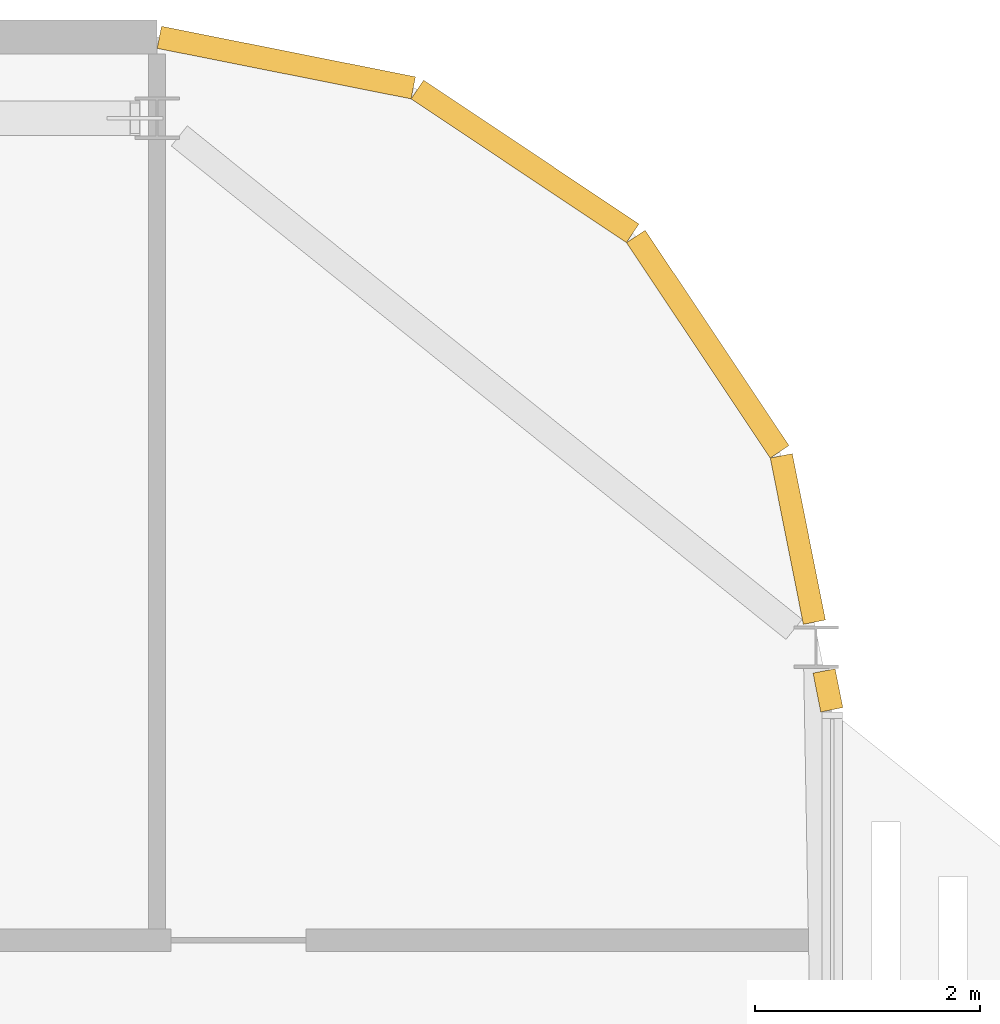
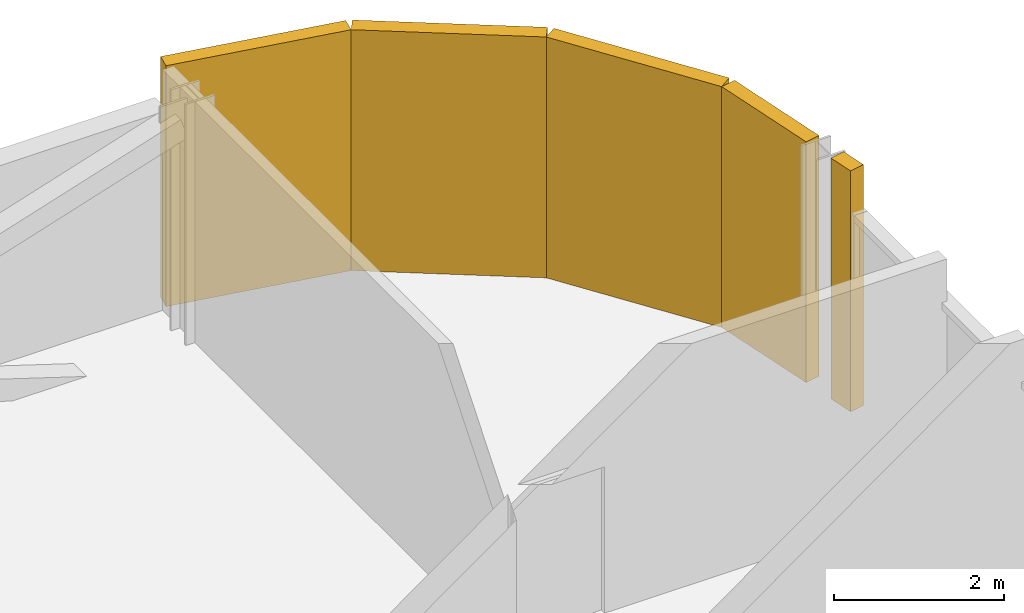
# One storey, part 29 of 29: 5 coverings.
"""IFC4 building model written with IfcOpenShell, lengths in metres."""

from ifc_helpers import new_model, si_unit, direction, frame, origin, origin_2d, place, context, subcontext, project, spatial, rectangle, extrude, material, layer, layer_set, type_object, element, save


model = new_model("IFC4")

# Units and contexts
model_context = context("Model", 3, precision=1e-05, world=origin(), true_north=direction((0.0, 1.0)))
body_context = subcontext(model_context, "Body", "Model", "MODEL_VIEW")
ifc_project = project(units=[si_unit("LENGTHUNIT", "METRE"), si_unit("AREAUNIT", "SQUARE_METRE"), si_unit("VOLUMEUNIT", "CUBIC_METRE"), si_unit("PLANEANGLEUNIT", "RADIAN"), si_unit("MASSUNIT", "GRAM", prefix="KILO")], contexts=[model_context])

# Site, building, storey
site_placement = place(None, origin())
site = spatial("IfcSite", under=ifc_project, at=site_placement, CompositionType="ELEMENT")
building_placement = place(site_placement, origin())
building = spatial("IfcBuilding", under=site, at=building_placement, Name="Mahtab Terrace Research Tower", CompositionType="ELEMENT")
storey_placement = place(building_placement, frame((0.0, 0.0, 274.699951171875)))
storey = spatial("IfcBuildingStorey", under=building, at=storey_placement, Name="L67", CompositionType="ELEMENT", Elevation=274.699951171875)

# Coverings
ifc_material = material(Name="Black aluminium cladding panel", Category="aluminium")
ifc_layer = layer(ifc_material, 0.199951171875)
ifc_layer_set = layer_set([ifc_layer], Name="Black metal corner cladding 200")
covering_type = type_object("IfcCoveringType", Name="Black metal corner cladding 200", PredefinedType="CLADDING", material=ifc_layer_set)
for number, where, z_axis, x_axis, name in (
    (1, (46.89306640625, 22.298583984375, 0.0), (0.0, 0.0, 1.0), (-0.555291490808, 0.831655794326, 0.0), "Corner cladding L67 0"),
    (2, (45.26953125, 23.922119140625, 0.0), (0.0, 0.0, 1.0), (-0.831655794326, 0.555291490808, 0.0), "Corner cladding L67 1"),
    (3, (43.14794921875, 24.800537109375, 0.0), (0.0, 0.0, 1.0), (-0.980760981187, 0.195212442692, 0.0), "Corner cladding L67 2"),
):
    element("IfcCovering", number, at=place(storey_placement, frame(where, z_axis=z_axis, x_axis=x_axis)), inside=storey, type_object=covering_type, Name=name, PredefinedType="CLADDING", context=body_context, shape_type="SweptSolid", body=[
        extrude(rectangle(XDim=2.30126953125, YDim=0.199951171875, at=origin_2d()), origin(), (0.0, 0.0, 1.0), 3.4599609375),
    ])
covering_1_placement = place(storey_placement, frame((47.961669921875, 19.220947265625, 0.0), z_axis=(0.0, 0.0, 1.0), x_axis=(-0.195212442692, 0.980760981187, 0.0)))
element("IfcCovering", 4, at=covering_1_placement, inside=storey, type_object=covering_type, Name="Corner cladding L67 25", PredefinedType="CLADDING", context=body_context, shape_type="SweptSolid", body=[
    extrude(rectangle(XDim=0.351806640625, YDim=0.199951171875, at=origin_2d()), origin(), (0.0, 0.0, 1.0), 3.4599609375),
])
covering_2_placement = place(storey_placement, frame((47.694091796875, 20.56640625, 0.0), z_axis=(0.0, 0.0, 1.0), x_axis=(-0.195212442692, 0.980760981187, 0.0)))
element("IfcCovering", 5, at=covering_2_placement, inside=storey, type_object=covering_type, Name="Corner cladding L67 26", PredefinedType="CLADDING", context=body_context, shape_type="SweptSolid", body=[
    extrude(rectangle(XDim=1.50732421875, YDim=0.199951171875, at=origin_2d()), origin(), (0.0, 0.0, 1.0), 3.4599609375),
])

save(model, "model.ifc")
